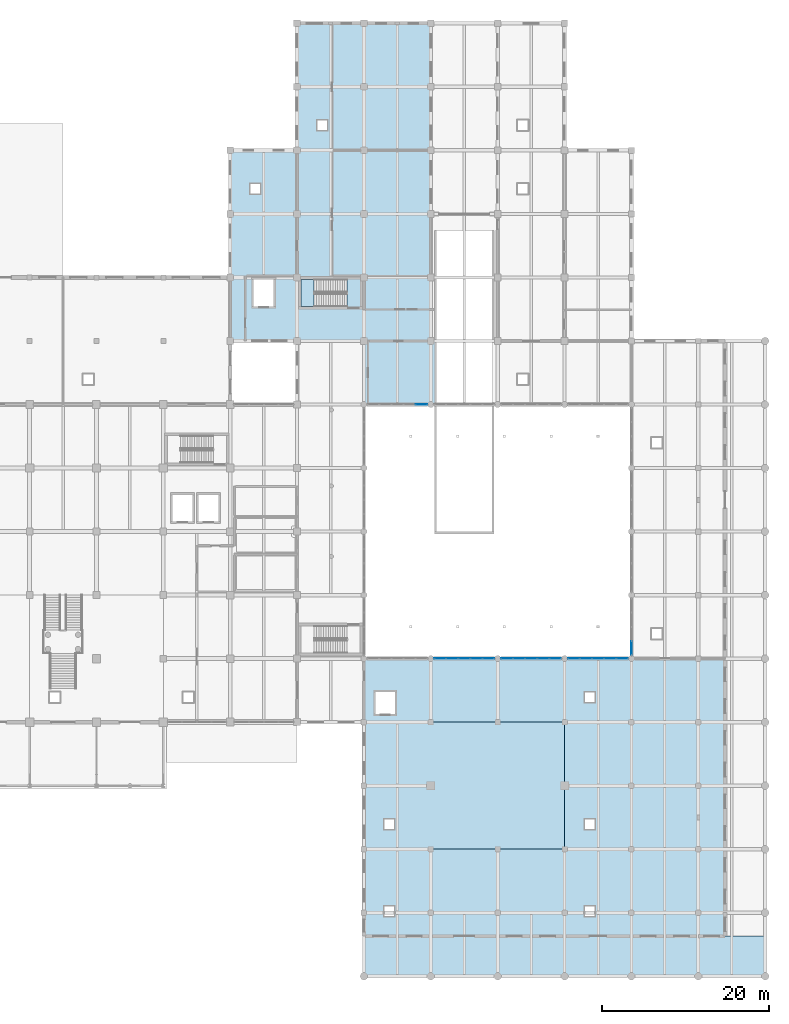
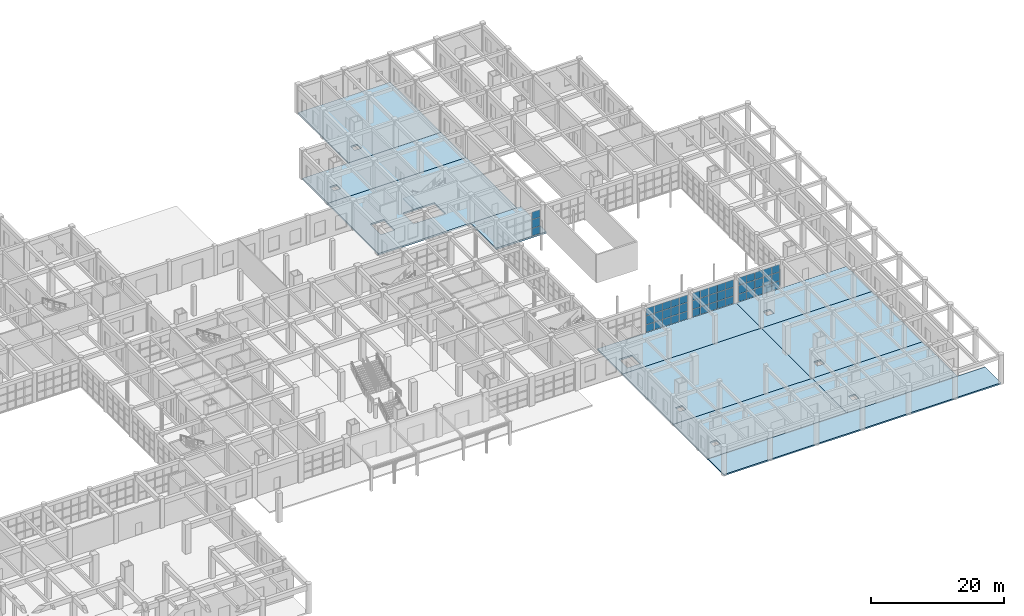
# One storey, part 64 of 95: 50 plates, 12 slabs, 6 elements without a shape of their own.
"""IFC4 building model written with IfcOpenShell, lengths in metres."""

from ifc_helpers import new_model, si_unit, direction, frame, origin, origin_2d, place, context, subcontext, project, spatial, polyline, rectangle, outline, extrude, material, layer, layer_set, type_object, element, aggregate, save


model = new_model("IFC4")

# Units and contexts
model_context = context("Model", 3, precision=1e-05, world=origin(), true_north=direction((0.0, 1.0)))
body_context = subcontext(model_context, "Body", "Model", "MODEL_VIEW")
ifc_project = project(units=[si_unit("LENGTHUNIT", "METRE"), si_unit("AREAUNIT", "SQUARE_METRE"), si_unit("VOLUMEUNIT", "CUBIC_METRE"), si_unit("PLANEANGLEUNIT", "RADIAN"), si_unit("MASSUNIT", "GRAM", prefix="KILO")], contexts=[model_context])

# Site, building, storey
site_placement = place(None, origin())
site = spatial("IfcSite", under=ifc_project, at=site_placement, CompositionType="ELEMENT")
building_placement = place(site_placement, origin())
building = spatial("IfcBuilding", under=site, at=building_placement, Name="Zantavel Square City Hall", CompositionType="ELEMENT")
storey_placement = place(building_placement, origin())
storey = spatial("IfcBuildingStorey", under=building, at=storey_placement, Name="L01", CompositionType="ELEMENT", Elevation=0.0)

# Stair, slab
ifc_material_1 = material(Name="Concrete C35/45", Category="concrete")
stair_type = type_object("IfcStairType", Name="Enclosed Core Dogleg Stair L01 H5400", PredefinedType="HALF_TURN_STAIR", material=ifc_material_1)
stair_placement = place(storey_placement, origin())
stair = element("IfcStair", 1, at=stair_placement, inside=storey, type_object=stair_type, Name="L01 Exit Stair 2 North-East Core", PredefinedType="HALF_TURN_STAIR")
ifc_layer_1 = layer(ifc_material_1, 0.2099609375, Name="Concrete C35/45")
ifc_layer_set_1 = layer_set([ifc_layer_1], Name="Concrete C35/45")
slab_type_1 = type_object("IfcSlabType", Name="Core Stair Half-Landing Slab C35/45", PredefinedType="LANDING", material=ifc_layer_set_1)
slab_1_placement = place(storey_placement, frame((0.0, 0.0, 2.5)))
slab_1 = element("IfcSlab", 2, at=slab_1_placement, type_object=slab_type_1, Name="ST2 landing 1", PredefinedType="LANDING", context=body_context, shape_type="SweptSolid", body=[
    extrude(outline(polyline([(114.050048828125, 83.3701171875), (112.469970703125, 83.3701171875), (112.469970703125, 80.10009765625), (114.050048828125, 80.10009765625), (114.050048828125, 83.3701171875)])), origin(), (0.0, 0.0, 1.0), 0.199951171875),
])
aggregate(stair, [slab_1])

# Slabs
ifc_layer_2 = layer(ifc_material_1, 0.300048828125, Name="Concrete C35/45")
ifc_layer_set_2 = layer_set([ifc_layer_2], Name="Concrete C35/45")
slab_type_2 = type_object("IfcSlabType", Name="Ground Civic Floor Slab 300mm C35/45", PredefinedType="FLOOR", material=ifc_layer_set_2)
slab_2_placement = place(storey_placement, frame((0.0, 0.0, -0.300048828125)))
element("IfcSlab", 3, at=slab_2_placement, inside=storey, type_object=slab_type_2, Name="L01 Floor Slab SLB-L01-V2S-01", PredefinedType="FLOOR", context=body_context, shape_type="SweptSolid", body=[
    extrude(outline(polyline([(120.0, 15.199951171875), (144.0, 15.199951171875), (144.0, 4.800048828125), (120.0, 4.800048828125), (120.0, 15.199951171875)]), holes=[polyline([(123.60009765625, 8.39990234375), (122.39990234375, 8.39990234375), (122.39990234375, 7.199951171875), (123.60009765625, 7.199951171875), (123.60009765625, 8.39990234375)])]), origin(), (0.0, 0.0, 1.0), 0.300048828125),
])
slab_3_placement = place(storey_placement, frame((0.0, 0.0, -0.300048828125)))
element("IfcSlab", 4, at=slab_3_placement, inside=storey, type_object=slab_type_2, Name="L01 Floor Slab SLB-L01-V2S-02", PredefinedType="FLOOR", context=body_context, shape_type="SweptSolid", body=[
    extrude(outline(polyline([(163.199951171875, 4.800048828125), (144.0, 4.800048828125), (144.0, 15.199951171875), (163.199951171875, 15.199951171875), (163.199951171875, 4.800048828125)]), holes=[polyline([(147.60009765625, 8.39990234375), (146.39990234375, 8.39990234375), (146.39990234375, 7.199951171875), (147.60009765625, 7.199951171875), (147.60009765625, 8.39990234375)])]), origin(), (0.0, 0.0, 1.0), 0.300048828125),
])
slab_4_placement = place(storey_placement, frame((0.0, 0.0, -0.300048828125)))
element("IfcSlab", 5, at=slab_4_placement, inside=storey, type_object=slab_type_2, Name="L01 Floor Slab SLB-L01-V2S-03", PredefinedType="FLOOR", context=body_context, shape_type="SweptSolid", body=[
    extrude(outline(polyline([(144.0, 30.39990234375), (144.0, 15.199951171875), (120.0, 15.199951171875), (120.0, 30.39990234375), (144.0, 30.39990234375)]), holes=[polyline([(123.60009765625, 18.800048828125), (122.39990234375, 18.800048828125), (122.39990234375, 17.60009765625), (123.60009765625, 17.60009765625), (123.60009765625, 18.800048828125)])]), origin(), (0.0, 0.0, 1.0), 0.300048828125),
])
slab_5_placement = place(storey_placement, frame((0.0, 0.0, -0.300048828125)))
element("IfcSlab", 6, at=slab_5_placement, inside=storey, type_object=slab_type_2, Name="L01 Floor Slab SLB-L01-V2S-04", PredefinedType="FLOOR", context=body_context, shape_type="SweptSolid", body=[
    extrude(outline(polyline([(163.199951171875, 15.199951171875), (144.0, 15.199951171875), (144.0, 30.39990234375), (163.199951171875, 30.39990234375), (163.199951171875, 15.199951171875)]), holes=[polyline([(147.60009765625, 18.800048828125), (146.39990234375, 18.800048828125), (146.39990234375, 17.60009765625), (147.60009765625, 17.60009765625), (147.60009765625, 18.800048828125)])]), origin(), (0.0, 0.0, 1.0), 0.300048828125),
])
slab_6_placement = place(storey_placement, frame((0.0, 0.0, -0.300048828125)))
element("IfcSlab", 7, at=slab_6_placement, inside=storey, type_object=slab_type_2, Name="L01 Floor Slab SLB-L01-V2S-05", PredefinedType="FLOOR", context=body_context, shape_type="SweptSolid", body=[
    extrude(outline(polyline([(144.0, 38.0), (144.0, 30.39990234375), (120.0, 30.39990234375), (120.0, 38.0), (144.0, 38.0)]), holes=[polyline([(123.699951171875, 34.0), (121.39990234375, 34.0), (121.39990234375, 31.39990234375), (123.699951171875, 31.39990234375), (123.699951171875, 34.0)])]), origin(), (0.0, 0.0, 1.0), 0.300048828125),
])
slab_7_placement = place(storey_placement, frame((0.0, 0.0, -0.300048828125)))
element("IfcSlab", 8, at=slab_7_placement, inside=storey, type_object=slab_type_2, Name="L01 Floor Slab SLB-L01-V2S-06", PredefinedType="FLOOR", context=body_context, shape_type="SweptSolid", body=[
    extrude(outline(polyline([(163.199951171875, 30.39990234375), (144.0, 30.39990234375), (144.0, 38.0), (163.199951171875, 38.0), (163.199951171875, 30.39990234375)]), holes=[polyline([(147.60009765625, 34.0), (146.39990234375, 34.0), (146.39990234375, 32.800048828125), (147.60009765625, 32.800048828125), (147.60009765625, 34.0)])]), origin(), (0.0, 0.0, 1.0), 0.300048828125),
])
slab_8_placement = place(storey_placement, frame((0.0, 0.0, -0.300048828125)))
element("IfcSlab", 9, at=slab_8_placement, inside=storey, type_object=slab_type_2, Name="L01 Floor Slab SLB-L01-V2N-01-P2", PredefinedType="FLOOR", context=body_context, shape_type="SweptSolid", body=[
    extrude(outline(polyline([(120.0, 68.39990234375), (120.0, 76.0), (128.699951171875, 76.0), (128.699951171875, 68.39990234375), (120.0, 68.39990234375)])), origin(), (0.0, 0.0, 1.0), 0.300048828125),
])
slab_9_placement = place(storey_placement, frame((0.0, 0.0, -0.300048828125)))
element("IfcSlab", 10, at=slab_9_placement, inside=storey, type_object=slab_type_2, Name="L01 Floor Slab SLB-L01-V4MW-01", PredefinedType="FLOOR", context=body_context, shape_type="SweptSolid", body=[
    extrude(outline(polyline([(128.0, 91.199951171875), (128.0, 76.0), (120.0, 76.0), (112.0, 76.0), (104.0, 76.0), (104.0, 91.199951171875), (128.0, 91.199951171875)]), holes=[polyline([(112.469970703125, 83.3701171875), (112.469970703125, 80.10009765625), (117.949951171875, 80.10009765625), (117.949951171875, 83.3701171875), (112.469970703125, 83.3701171875)]), polyline([(109.199951171875, 83.35009765625), (106.800048828125, 83.35009765625), (106.800048828125, 80.14990234375), (109.199951171875, 80.14990234375), (109.199951171875, 83.35009765625)])]), origin(), (0.0, 0.0, 1.0), 0.300048828125),
])
slab_10_placement = place(storey_placement, frame((0.0, 0.0, -0.300048828125)))
element("IfcSlab", 11, at=slab_10_placement, inside=storey, type_object=slab_type_2, Name="L01 Floor Slab SLB-L01-V4MW-02", PredefinedType="FLOOR", context=body_context, shape_type="SweptSolid", body=[
    extrude(outline(polyline([(128.0, 98.800048828125), (128.0, 91.199951171875), (104.0, 91.199951171875), (104.0, 98.800048828125), (128.0, 98.800048828125)]), holes=[polyline([(107.60009765625, 94.800048828125), (106.39990234375, 94.800048828125), (106.39990234375, 93.60009765625), (107.60009765625, 93.60009765625), (107.60009765625, 94.800048828125)])]), origin(), (0.0, 0.0, 1.0), 0.300048828125),
])
slab_11_placement = place(storey_placement, frame((0.0, 0.0, -0.300048828125)))
element("IfcSlab", 12, at=slab_11_placement, inside=storey, type_object=slab_type_2, Name="L01 Floor Slab SLB-L01-V4NW-01", PredefinedType="FLOOR", context=body_context, shape_type="SweptSolid", body=[
    extrude(outline(polyline([(128.0, 114.0), (128.0, 98.800048828125), (112.0, 98.800048828125), (112.0, 114.0), (128.0, 114.0)]), holes=[polyline([(115.60009765625, 102.39990234375), (114.39990234375, 102.39990234375), (114.39990234375, 101.199951171875), (115.60009765625, 101.199951171875), (115.60009765625, 102.39990234375)])]), origin(), (0.0, 0.0, 1.0), 0.300048828125),
])

# Curtain wall, plates
ifc_material_2 = material(Name="Anodised aluminium 6063-T6", Category="aluminium")
curtain_wall_type_1 = type_object("IfcCurtainWallType", Name="Curtain Wall CRT 7250x4510", PredefinedType="USERDEFINED", material=ifc_material_2)
curtain_wall_1_placement = place(storey_placement, origin())
curtain_wall_1 = element("IfcCurtainWall", 13, at=curtain_wall_1_placement, inside=storey, type_object=curtain_wall_type_1, Name="L01 Glazed Curtain Wall CW-L01-022", ObjectType="GLAZED CURTAIN WALL", PredefinedType="USERDEFINED")
ifc_material_3 = material(Name="Tempered safety glass low-E double glazing", Category="glass")
ifc_layer_3 = layer(ifc_material_3, 0.028076171875, Name="Tempered safety glass low-E double glazing")
ifc_layer_set_3 = layer_set([ifc_layer_3], Name="Tempered safety glass low-E double glazing")
plate_type_1 = type_object("IfcPlateType", Name="Low-E Curtain Glazing Panel 1450x1503x28", PredefinedType="CURTAIN_PANEL", material=ifc_layer_set_3)
plate_1_placement = place(storey_placement, frame((126.885009765625, 68.39990234375, 0.06005859375), z_axis=(0.0, 0.0, 1.0), x_axis=(-1.0, 0.0, 0.0)))
plate_1 = element("IfcPlate", 14, at=plate_1_placement, type_object=plate_type_1, Name="CW-022 panel 1.1", PredefinedType="CURTAIN_PANEL", context=body_context, shape_type="SweptSolid", body=[
    extrude(rectangle(XDim=1.360107421875, YDim=0.028076171875, at=origin_2d()), origin(), (0.0, 0.0, 1.0), 1.35302734375),
])
plate_2_placement = place(storey_placement, frame((126.885009765625, 68.39990234375, 1.472900390625), z_axis=(0.0, 0.0, 1.0), x_axis=(-1.0, 0.0, 0.0)))
plate_2 = element("IfcPlate", 15, at=plate_2_placement, type_object=plate_type_1, Name="CW-022 panel 1.2", PredefinedType="CURTAIN_PANEL", context=body_context, shape_type="SweptSolid", body=[
    extrude(rectangle(XDim=1.360107421875, YDim=0.028076171875, at=origin_2d()), origin(), (0.0, 0.0, 1.0), 1.56396484375),
])
plate_3_placement = place(storey_placement, frame((126.885009765625, 68.39990234375, 3.096923828125), z_axis=(0.0, 0.0, 1.0), x_axis=(-1.0, 0.0, 0.0)))
plate_3 = element("IfcPlate", 16, at=plate_3_placement, type_object=plate_type_1, Name="CW-022 panel 1.3", PredefinedType="CURTAIN_PANEL", context=body_context, shape_type="SweptSolid", body=[
    extrude(rectangle(XDim=1.360107421875, YDim=0.028076171875, at=origin_2d()), origin(), (0.0, 0.0, 1.0), 1.35302734375),
])
aggregate(curtain_wall_1, [plate_1, plate_2, plate_3])

curtain_wall_2_placement = place(storey_placement, origin())
curtain_wall_2 = element("IfcCurtainWall", 17, at=curtain_wall_2_placement, inside=storey, type_object=curtain_wall_type_1, Name="L01 Glazed Curtain Wall CW-L01-028", ObjectType="GLAZED CURTAIN WALL", PredefinedType="USERDEFINED")
plate_4_placement = place(storey_placement, frame((129.114990234375, 38.0, 0.06005859375), z_axis=(0.0, 0.0, 1.0), x_axis=(1.0, 0.0, 0.0)))
plate_4 = element("IfcPlate", 18, at=plate_4_placement, type_object=plate_type_1, Name="CW-028 panel 1.1", PredefinedType="CURTAIN_PANEL", context=body_context, shape_type="SweptSolid", body=[
    extrude(rectangle(XDim=1.360107421875, YDim=0.028076171875, at=origin_2d()), origin(), (0.0, 0.0, 1.0), 1.35302734375),
])
plate_5_placement = place(storey_placement, frame((129.114990234375, 38.0, 1.472900390625), z_axis=(0.0, 0.0, 1.0), x_axis=(1.0, 0.0, 0.0)))
plate_5 = element("IfcPlate", 19, at=plate_5_placement, type_object=plate_type_1, Name="CW-028 panel 1.2", PredefinedType="CURTAIN_PANEL", context=body_context, shape_type="SweptSolid", body=[
    extrude(rectangle(XDim=1.360107421875, YDim=0.028076171875, at=origin_2d()), origin(), (0.0, 0.0, 1.0), 1.56396484375),
])
plate_6_placement = place(storey_placement, frame((129.114990234375, 38.0, 3.096923828125), z_axis=(0.0, 0.0, 1.0), x_axis=(1.0, 0.0, 0.0)))
plate_6 = element("IfcPlate", 20, at=plate_6_placement, type_object=plate_type_1, Name="CW-028 panel 1.3", PredefinedType="CURTAIN_PANEL", context=body_context, shape_type="SweptSolid", body=[
    extrude(rectangle(XDim=1.360107421875, YDim=0.028076171875, at=origin_2d()), origin(), (0.0, 0.0, 1.0), 1.35302734375),
])
plate_7_placement = place(storey_placement, frame((130.550048828125, 38.0, 0.06005859375), z_axis=(0.0, 0.0, 1.0), x_axis=(1.0, 0.0, 0.0)))
plate_7 = element("IfcPlate", 21, at=plate_7_placement, type_object=plate_type_1, Name="CW-028 panel 2.1", PredefinedType="CURTAIN_PANEL", context=body_context, shape_type="SweptSolid", body=[
    extrude(rectangle(XDim=1.389892578125, YDim=0.028076171875, at=origin_2d()), origin(), (0.0, 0.0, 1.0), 1.35302734375),
])
plate_8_placement = place(storey_placement, frame((130.550048828125, 38.0, 1.472900390625), z_axis=(0.0, 0.0, 1.0), x_axis=(1.0, 0.0, 0.0)))
plate_8 = element("IfcPlate", 22, at=plate_8_placement, type_object=plate_type_1, Name="CW-028 panel 2.2", PredefinedType="CURTAIN_PANEL", context=body_context, shape_type="SweptSolid", body=[
    extrude(rectangle(XDim=1.389892578125, YDim=0.028076171875, at=origin_2d()), origin(), (0.0, 0.0, 1.0), 1.56396484375),
])
plate_9_placement = place(storey_placement, frame((130.550048828125, 38.0, 3.096923828125), z_axis=(0.0, 0.0, 1.0), x_axis=(1.0, 0.0, 0.0)))
plate_9 = element("IfcPlate", 23, at=plate_9_placement, type_object=plate_type_1, Name="CW-028 panel 2.3", PredefinedType="CURTAIN_PANEL", context=body_context, shape_type="SweptSolid", body=[
    extrude(rectangle(XDim=1.389892578125, YDim=0.028076171875, at=origin_2d()), origin(), (0.0, 0.0, 1.0), 1.35302734375),
])
plate_10_placement = place(storey_placement, frame((132.0, 38.0, 0.06005859375), z_axis=(0.0, 0.0, 1.0), x_axis=(1.0, 0.0, 0.0)))
plate_10 = element("IfcPlate", 24, at=plate_10_placement, type_object=plate_type_1, Name="CW-028 panel 3.1", PredefinedType="CURTAIN_PANEL", context=body_context, shape_type="SweptSolid", body=[
    extrude(rectangle(XDim=1.389892578125, YDim=0.028076171875, at=origin_2d()), origin(), (0.0, 0.0, 1.0), 1.35302734375),
])
plate_11_placement = place(storey_placement, frame((132.0, 38.0, 1.472900390625), z_axis=(0.0, 0.0, 1.0), x_axis=(1.0, 0.0, 0.0)))
plate_11 = element("IfcPlate", 25, at=plate_11_placement, type_object=plate_type_1, Name="CW-028 panel 3.2", PredefinedType="CURTAIN_PANEL", context=body_context, shape_type="SweptSolid", body=[
    extrude(rectangle(XDim=1.389892578125, YDim=0.028076171875, at=origin_2d()), origin(), (0.0, 0.0, 1.0), 1.56396484375),
])
plate_12_placement = place(storey_placement, frame((132.0, 38.0, 3.096923828125), z_axis=(0.0, 0.0, 1.0), x_axis=(1.0, 0.0, 0.0)))
plate_12 = element("IfcPlate", 26, at=plate_12_placement, type_object=plate_type_1, Name="CW-028 panel 3.3", PredefinedType="CURTAIN_PANEL", context=body_context, shape_type="SweptSolid", body=[
    extrude(rectangle(XDim=1.389892578125, YDim=0.028076171875, at=origin_2d()), origin(), (0.0, 0.0, 1.0), 1.35302734375),
])
plate_13_placement = place(storey_placement, frame((133.449951171875, 38.0, 0.06005859375), z_axis=(0.0, 0.0, 1.0), x_axis=(1.0, 0.0, 0.0)))
plate_13 = element("IfcPlate", 27, at=plate_13_placement, type_object=plate_type_1, Name="CW-028 panel 4.1", PredefinedType="CURTAIN_PANEL", context=body_context, shape_type="SweptSolid", body=[
    extrude(rectangle(XDim=1.389892578125, YDim=0.028076171875, at=origin_2d()), origin(), (0.0, 0.0, 1.0), 1.35302734375),
])
plate_14_placement = place(storey_placement, frame((133.449951171875, 38.0, 1.472900390625), z_axis=(0.0, 0.0, 1.0), x_axis=(1.0, 0.0, 0.0)))
plate_14 = element("IfcPlate", 28, at=plate_14_placement, type_object=plate_type_1, Name="CW-028 panel 4.2", PredefinedType="CURTAIN_PANEL", context=body_context, shape_type="SweptSolid", body=[
    extrude(rectangle(XDim=1.389892578125, YDim=0.028076171875, at=origin_2d()), origin(), (0.0, 0.0, 1.0), 1.56396484375),
])
plate_15_placement = place(storey_placement, frame((133.449951171875, 38.0, 3.096923828125), z_axis=(0.0, 0.0, 1.0), x_axis=(1.0, 0.0, 0.0)))
plate_15 = element("IfcPlate", 29, at=plate_15_placement, type_object=plate_type_1, Name="CW-028 panel 4.3", PredefinedType="CURTAIN_PANEL", context=body_context, shape_type="SweptSolid", body=[
    extrude(rectangle(XDim=1.389892578125, YDim=0.028076171875, at=origin_2d()), origin(), (0.0, 0.0, 1.0), 1.35302734375),
])
plate_16_placement = place(storey_placement, frame((134.885009765625, 38.0, 0.06005859375), z_axis=(0.0, 0.0, 1.0), x_axis=(1.0, 0.0, 0.0)))
plate_16 = element("IfcPlate", 30, at=plate_16_placement, type_object=plate_type_1, Name="CW-028 panel 5.1", PredefinedType="CURTAIN_PANEL", context=body_context, shape_type="SweptSolid", body=[
    extrude(rectangle(XDim=1.360107421875, YDim=0.028076171875, at=origin_2d()), origin(), (0.0, 0.0, 1.0), 1.35302734375),
])
plate_17_placement = place(storey_placement, frame((134.885009765625, 38.0, 1.472900390625), z_axis=(0.0, 0.0, 1.0), x_axis=(1.0, 0.0, 0.0)))
plate_17 = element("IfcPlate", 31, at=plate_17_placement, type_object=plate_type_1, Name="CW-028 panel 5.2", PredefinedType="CURTAIN_PANEL", context=body_context, shape_type="SweptSolid", body=[
    extrude(rectangle(XDim=1.360107421875, YDim=0.028076171875, at=origin_2d()), origin(), (0.0, 0.0, 1.0), 1.56396484375),
])
plate_18_placement = place(storey_placement, frame((134.885009765625, 38.0, 3.096923828125), z_axis=(0.0, 0.0, 1.0), x_axis=(1.0, 0.0, 0.0)))
plate_18 = element("IfcPlate", 32, at=plate_18_placement, type_object=plate_type_1, Name="CW-028 panel 5.3", PredefinedType="CURTAIN_PANEL", context=body_context, shape_type="SweptSolid", body=[
    extrude(rectangle(XDim=1.360107421875, YDim=0.028076171875, at=origin_2d()), origin(), (0.0, 0.0, 1.0), 1.35302734375),
])
aggregate(curtain_wall_2, [plate_4, plate_5, plate_6, plate_7, plate_8, plate_9, plate_10, plate_11, plate_12, plate_13, plate_14, plate_15, plate_16, plate_17, plate_18])

curtain_wall_3_placement = place(storey_placement, origin())
curtain_wall_3 = element("IfcCurtainWall", 33, at=curtain_wall_3_placement, inside=storey, type_object=curtain_wall_type_1, Name="L01 Glazed Curtain Wall CW-L01-029", ObjectType="GLAZED CURTAIN WALL", PredefinedType="USERDEFINED")
plate_19_placement = place(storey_placement, frame((137.114990234375, 38.0, 0.06005859375), z_axis=(0.0, 0.0, 1.0), x_axis=(1.0, 0.0, 0.0)))
plate_19 = element("IfcPlate", 34, at=plate_19_placement, type_object=plate_type_1, Name="CW-029 panel 1.1", PredefinedType="CURTAIN_PANEL", context=body_context, shape_type="SweptSolid", body=[
    extrude(rectangle(XDim=1.360107421875, YDim=0.028076171875, at=origin_2d()), origin(), (0.0, 0.0, 1.0), 1.35302734375),
])
plate_20_placement = place(storey_placement, frame((137.114990234375, 38.0, 1.472900390625), z_axis=(0.0, 0.0, 1.0), x_axis=(1.0, 0.0, 0.0)))
plate_20 = element("IfcPlate", 35, at=plate_20_placement, type_object=plate_type_1, Name="CW-029 panel 1.2", PredefinedType="CURTAIN_PANEL", context=body_context, shape_type="SweptSolid", body=[
    extrude(rectangle(XDim=1.360107421875, YDim=0.028076171875, at=origin_2d()), origin(), (0.0, 0.0, 1.0), 1.56396484375),
])
plate_21_placement = place(storey_placement, frame((137.114990234375, 38.0, 3.096923828125), z_axis=(0.0, 0.0, 1.0), x_axis=(1.0, 0.0, 0.0)))
plate_21 = element("IfcPlate", 36, at=plate_21_placement, type_object=plate_type_1, Name="CW-029 panel 1.3", PredefinedType="CURTAIN_PANEL", context=body_context, shape_type="SweptSolid", body=[
    extrude(rectangle(XDim=1.360107421875, YDim=0.028076171875, at=origin_2d()), origin(), (0.0, 0.0, 1.0), 1.35302734375),
])
plate_22_placement = place(storey_placement, frame((138.550048828125, 38.0, 0.06005859375), z_axis=(0.0, 0.0, 1.0), x_axis=(1.0, 0.0, 0.0)))
plate_22 = element("IfcPlate", 37, at=plate_22_placement, type_object=plate_type_1, Name="CW-029 panel 2.1", PredefinedType="CURTAIN_PANEL", context=body_context, shape_type="SweptSolid", body=[
    extrude(rectangle(XDim=1.389892578125, YDim=0.028076171875, at=origin_2d()), origin(), (0.0, 0.0, 1.0), 1.35302734375),
])
plate_23_placement = place(storey_placement, frame((138.550048828125, 38.0, 1.472900390625), z_axis=(0.0, 0.0, 1.0), x_axis=(1.0, 0.0, 0.0)))
plate_23 = element("IfcPlate", 38, at=plate_23_placement, type_object=plate_type_1, Name="CW-029 panel 2.2", PredefinedType="CURTAIN_PANEL", context=body_context, shape_type="SweptSolid", body=[
    extrude(rectangle(XDim=1.389892578125, YDim=0.028076171875, at=origin_2d()), origin(), (0.0, 0.0, 1.0), 1.56396484375),
])
plate_24_placement = place(storey_placement, frame((138.550048828125, 38.0, 3.096923828125), z_axis=(0.0, 0.0, 1.0), x_axis=(1.0, 0.0, 0.0)))
plate_24 = element("IfcPlate", 39, at=plate_24_placement, type_object=plate_type_1, Name="CW-029 panel 2.3", PredefinedType="CURTAIN_PANEL", context=body_context, shape_type="SweptSolid", body=[
    extrude(rectangle(XDim=1.389892578125, YDim=0.028076171875, at=origin_2d()), origin(), (0.0, 0.0, 1.0), 1.35302734375),
])
plate_25_placement = place(storey_placement, frame((140.0, 38.0, 0.06005859375), z_axis=(0.0, 0.0, 1.0), x_axis=(1.0, 0.0, 0.0)))
plate_25 = element("IfcPlate", 40, at=plate_25_placement, type_object=plate_type_1, Name="CW-029 panel 3.1", PredefinedType="CURTAIN_PANEL", context=body_context, shape_type="SweptSolid", body=[
    extrude(rectangle(XDim=1.389892578125, YDim=0.028076171875, at=origin_2d()), origin(), (0.0, 0.0, 1.0), 1.35302734375),
])
plate_26_placement = place(storey_placement, frame((140.0, 38.0, 1.472900390625), z_axis=(0.0, 0.0, 1.0), x_axis=(1.0, 0.0, 0.0)))
plate_26 = element("IfcPlate", 41, at=plate_26_placement, type_object=plate_type_1, Name="CW-029 panel 3.2", PredefinedType="CURTAIN_PANEL", context=body_context, shape_type="SweptSolid", body=[
    extrude(rectangle(XDim=1.389892578125, YDim=0.028076171875, at=origin_2d()), origin(), (0.0, 0.0, 1.0), 1.56396484375),
])
plate_27_placement = place(storey_placement, frame((140.0, 38.0, 3.096923828125), z_axis=(0.0, 0.0, 1.0), x_axis=(1.0, 0.0, 0.0)))
plate_27 = element("IfcPlate", 42, at=plate_27_placement, type_object=plate_type_1, Name="CW-029 panel 3.3", PredefinedType="CURTAIN_PANEL", context=body_context, shape_type="SweptSolid", body=[
    extrude(rectangle(XDim=1.389892578125, YDim=0.028076171875, at=origin_2d()), origin(), (0.0, 0.0, 1.0), 1.35302734375),
])
plate_28_placement = place(storey_placement, frame((141.449951171875, 38.0, 0.06005859375), z_axis=(0.0, 0.0, 1.0), x_axis=(1.0, 0.0, 0.0)))
plate_28 = element("IfcPlate", 43, at=plate_28_placement, type_object=plate_type_1, Name="CW-029 panel 4.1", PredefinedType="CURTAIN_PANEL", context=body_context, shape_type="SweptSolid", body=[
    extrude(rectangle(XDim=1.389892578125, YDim=0.028076171875, at=origin_2d()), origin(), (0.0, 0.0, 1.0), 1.35302734375),
])
plate_29_placement = place(storey_placement, frame((141.449951171875, 38.0, 1.472900390625), z_axis=(0.0, 0.0, 1.0), x_axis=(1.0, 0.0, 0.0)))
plate_29 = element("IfcPlate", 44, at=plate_29_placement, type_object=plate_type_1, Name="CW-029 panel 4.2", PredefinedType="CURTAIN_PANEL", context=body_context, shape_type="SweptSolid", body=[
    extrude(rectangle(XDim=1.389892578125, YDim=0.028076171875, at=origin_2d()), origin(), (0.0, 0.0, 1.0), 1.56396484375),
])
plate_30_placement = place(storey_placement, frame((141.449951171875, 38.0, 3.096923828125), z_axis=(0.0, 0.0, 1.0), x_axis=(1.0, 0.0, 0.0)))
plate_30 = element("IfcPlate", 45, at=plate_30_placement, type_object=plate_type_1, Name="CW-029 panel 4.3", PredefinedType="CURTAIN_PANEL", context=body_context, shape_type="SweptSolid", body=[
    extrude(rectangle(XDim=1.389892578125, YDim=0.028076171875, at=origin_2d()), origin(), (0.0, 0.0, 1.0), 1.35302734375),
])
plate_31_placement = place(storey_placement, frame((142.885009765625, 38.0, 0.06005859375), z_axis=(0.0, 0.0, 1.0), x_axis=(1.0, 0.0, 0.0)))
plate_31 = element("IfcPlate", 46, at=plate_31_placement, type_object=plate_type_1, Name="CW-029 panel 5.1", PredefinedType="CURTAIN_PANEL", context=body_context, shape_type="SweptSolid", body=[
    extrude(rectangle(XDim=1.360107421875, YDim=0.028076171875, at=origin_2d()), origin(), (0.0, 0.0, 1.0), 1.35302734375),
])
plate_32_placement = place(storey_placement, frame((142.885009765625, 38.0, 1.472900390625), z_axis=(0.0, 0.0, 1.0), x_axis=(1.0, 0.0, 0.0)))
plate_32 = element("IfcPlate", 47, at=plate_32_placement, type_object=plate_type_1, Name="CW-029 panel 5.2", PredefinedType="CURTAIN_PANEL", context=body_context, shape_type="SweptSolid", body=[
    extrude(rectangle(XDim=1.360107421875, YDim=0.028076171875, at=origin_2d()), origin(), (0.0, 0.0, 1.0), 1.56396484375),
])
plate_33_placement = place(storey_placement, frame((142.885009765625, 38.0, 3.096923828125), z_axis=(0.0, 0.0, 1.0), x_axis=(1.0, 0.0, 0.0)))
plate_33 = element("IfcPlate", 48, at=plate_33_placement, type_object=plate_type_1, Name="CW-029 panel 5.3", PredefinedType="CURTAIN_PANEL", context=body_context, shape_type="SweptSolid", body=[
    extrude(rectangle(XDim=1.360107421875, YDim=0.028076171875, at=origin_2d()), origin(), (0.0, 0.0, 1.0), 1.35302734375),
])
aggregate(curtain_wall_3, [plate_19, plate_20, plate_21, plate_22, plate_23, plate_24, plate_25, plate_26, plate_27, plate_28, plate_29, plate_30, plate_31, plate_32, plate_33])

curtain_wall_4_placement = place(storey_placement, origin())
curtain_wall_4 = element("IfcCurtainWall", 49, at=curtain_wall_4_placement, inside=storey, type_object=curtain_wall_type_1, Name="L01 Glazed Curtain Wall CW-L01-030", ObjectType="GLAZED CURTAIN WALL", PredefinedType="USERDEFINED")
plate_34_placement = place(storey_placement, frame((145.114990234375, 38.0, 0.06005859375), z_axis=(0.0, 0.0, 1.0), x_axis=(1.0, 0.0, 0.0)))
plate_34 = element("IfcPlate", 50, at=plate_34_placement, type_object=plate_type_1, Name="CW-030 panel 1.1", PredefinedType="CURTAIN_PANEL", context=body_context, shape_type="SweptSolid", body=[
    extrude(rectangle(XDim=1.360107421875, YDim=0.028076171875, at=origin_2d()), origin(), (0.0, 0.0, 1.0), 1.35302734375),
])
plate_35_placement = place(storey_placement, frame((145.114990234375, 38.0, 1.472900390625), z_axis=(0.0, 0.0, 1.0), x_axis=(1.0, 0.0, 0.0)))
plate_35 = element("IfcPlate", 51, at=plate_35_placement, type_object=plate_type_1, Name="CW-030 panel 1.2", PredefinedType="CURTAIN_PANEL", context=body_context, shape_type="SweptSolid", body=[
    extrude(rectangle(XDim=1.360107421875, YDim=0.028076171875, at=origin_2d()), origin(), (0.0, 0.0, 1.0), 1.56396484375),
])
plate_36_placement = place(storey_placement, frame((145.114990234375, 38.0, 3.096923828125), z_axis=(0.0, 0.0, 1.0), x_axis=(1.0, 0.0, 0.0)))
plate_36 = element("IfcPlate", 52, at=plate_36_placement, type_object=plate_type_1, Name="CW-030 panel 1.3", PredefinedType="CURTAIN_PANEL", context=body_context, shape_type="SweptSolid", body=[
    extrude(rectangle(XDim=1.360107421875, YDim=0.028076171875, at=origin_2d()), origin(), (0.0, 0.0, 1.0), 1.35302734375),
])
plate_37_placement = place(storey_placement, frame((146.550048828125, 38.0, 0.06005859375), z_axis=(0.0, 0.0, 1.0), x_axis=(1.0, 0.0, 0.0)))
plate_37 = element("IfcPlate", 53, at=plate_37_placement, type_object=plate_type_1, Name="CW-030 panel 2.1", PredefinedType="CURTAIN_PANEL", context=body_context, shape_type="SweptSolid", body=[
    extrude(rectangle(XDim=1.389892578125, YDim=0.028076171875, at=origin_2d()), origin(), (0.0, 0.0, 1.0), 1.35302734375),
])
plate_38_placement = place(storey_placement, frame((146.550048828125, 38.0, 1.472900390625), z_axis=(0.0, 0.0, 1.0), x_axis=(1.0, 0.0, 0.0)))
plate_38 = element("IfcPlate", 54, at=plate_38_placement, type_object=plate_type_1, Name="CW-030 panel 2.2", PredefinedType="CURTAIN_PANEL", context=body_context, shape_type="SweptSolid", body=[
    extrude(rectangle(XDim=1.389892578125, YDim=0.028076171875, at=origin_2d()), origin(), (0.0, 0.0, 1.0), 1.56396484375),
])
plate_39_placement = place(storey_placement, frame((146.550048828125, 38.0, 3.096923828125), z_axis=(0.0, 0.0, 1.0), x_axis=(1.0, 0.0, 0.0)))
plate_39 = element("IfcPlate", 55, at=plate_39_placement, type_object=plate_type_1, Name="CW-030 panel 2.3", PredefinedType="CURTAIN_PANEL", context=body_context, shape_type="SweptSolid", body=[
    extrude(rectangle(XDim=1.389892578125, YDim=0.028076171875, at=origin_2d()), origin(), (0.0, 0.0, 1.0), 1.35302734375),
])
plate_40_placement = place(storey_placement, frame((148.0, 38.0, 0.06005859375), z_axis=(0.0, 0.0, 1.0), x_axis=(1.0, 0.0, 0.0)))
plate_40 = element("IfcPlate", 56, at=plate_40_placement, type_object=plate_type_1, Name="CW-030 panel 3.1", PredefinedType="CURTAIN_PANEL", context=body_context, shape_type="SweptSolid", body=[
    extrude(rectangle(XDim=1.389892578125, YDim=0.028076171875, at=origin_2d()), origin(), (0.0, 0.0, 1.0), 1.35302734375),
])
plate_41_placement = place(storey_placement, frame((148.0, 38.0, 1.472900390625), z_axis=(0.0, 0.0, 1.0), x_axis=(1.0, 0.0, 0.0)))
plate_41 = element("IfcPlate", 57, at=plate_41_placement, type_object=plate_type_1, Name="CW-030 panel 3.2", PredefinedType="CURTAIN_PANEL", context=body_context, shape_type="SweptSolid", body=[
    extrude(rectangle(XDim=1.389892578125, YDim=0.028076171875, at=origin_2d()), origin(), (0.0, 0.0, 1.0), 1.56396484375),
])
plate_42_placement = place(storey_placement, frame((148.0, 38.0, 3.096923828125), z_axis=(0.0, 0.0, 1.0), x_axis=(1.0, 0.0, 0.0)))
plate_42 = element("IfcPlate", 58, at=plate_42_placement, type_object=plate_type_1, Name="CW-030 panel 3.3", PredefinedType="CURTAIN_PANEL", context=body_context, shape_type="SweptSolid", body=[
    extrude(rectangle(XDim=1.389892578125, YDim=0.028076171875, at=origin_2d()), origin(), (0.0, 0.0, 1.0), 1.35302734375),
])
plate_43_placement = place(storey_placement, frame((149.449951171875, 38.0, 0.06005859375), z_axis=(0.0, 0.0, 1.0), x_axis=(1.0, 0.0, 0.0)))
plate_43 = element("IfcPlate", 59, at=plate_43_placement, type_object=plate_type_1, Name="CW-030 panel 4.1", PredefinedType="CURTAIN_PANEL", context=body_context, shape_type="SweptSolid", body=[
    extrude(rectangle(XDim=1.389892578125, YDim=0.028076171875, at=origin_2d()), origin(), (0.0, 0.0, 1.0), 1.35302734375),
])
plate_44_placement = place(storey_placement, frame((149.449951171875, 38.0, 1.472900390625), z_axis=(0.0, 0.0, 1.0), x_axis=(1.0, 0.0, 0.0)))
plate_44 = element("IfcPlate", 60, at=plate_44_placement, type_object=plate_type_1, Name="CW-030 panel 4.2", PredefinedType="CURTAIN_PANEL", context=body_context, shape_type="SweptSolid", body=[
    extrude(rectangle(XDim=1.389892578125, YDim=0.028076171875, at=origin_2d()), origin(), (0.0, 0.0, 1.0), 1.56396484375),
])
plate_45_placement = place(storey_placement, frame((149.449951171875, 38.0, 3.096923828125), z_axis=(0.0, 0.0, 1.0), x_axis=(1.0, 0.0, 0.0)))
plate_45 = element("IfcPlate", 61, at=plate_45_placement, type_object=plate_type_1, Name="CW-030 panel 4.3", PredefinedType="CURTAIN_PANEL", context=body_context, shape_type="SweptSolid", body=[
    extrude(rectangle(XDim=1.389892578125, YDim=0.028076171875, at=origin_2d()), origin(), (0.0, 0.0, 1.0), 1.35302734375),
])
plate_46_placement = place(storey_placement, frame((150.885009765625, 38.0, 0.06005859375), z_axis=(0.0, 0.0, 1.0), x_axis=(1.0, 0.0, 0.0)))
plate_46 = element("IfcPlate", 62, at=plate_46_placement, type_object=plate_type_1, Name="CW-030 panel 5.1", PredefinedType="CURTAIN_PANEL", context=body_context, shape_type="SweptSolid", body=[
    extrude(rectangle(XDim=1.360107421875, YDim=0.028076171875, at=origin_2d()), origin(), (0.0, 0.0, 1.0), 1.35302734375),
])
plate_47_placement = place(storey_placement, frame((150.885009765625, 38.0, 1.472900390625), z_axis=(0.0, 0.0, 1.0), x_axis=(1.0, 0.0, 0.0)))
plate_47 = element("IfcPlate", 63, at=plate_47_placement, type_object=plate_type_1, Name="CW-030 panel 5.2", PredefinedType="CURTAIN_PANEL", context=body_context, shape_type="SweptSolid", body=[
    extrude(rectangle(XDim=1.360107421875, YDim=0.028076171875, at=origin_2d()), origin(), (0.0, 0.0, 1.0), 1.56396484375),
])
plate_48_placement = place(storey_placement, frame((150.885009765625, 38.0, 3.096923828125), z_axis=(0.0, 0.0, 1.0), x_axis=(1.0, 0.0, 0.0)))
plate_48 = element("IfcPlate", 64, at=plate_48_placement, type_object=plate_type_1, Name="CW-030 panel 5.3", PredefinedType="CURTAIN_PANEL", context=body_context, shape_type="SweptSolid", body=[
    extrude(rectangle(XDim=1.360107421875, YDim=0.028076171875, at=origin_2d()), origin(), (0.0, 0.0, 1.0), 1.35302734375),
])
aggregate(curtain_wall_4, [plate_34, plate_35, plate_36, plate_37, plate_38, plate_39, plate_40, plate_41, plate_42, plate_43, plate_44, plate_45, plate_46, plate_47, plate_48])

curtain_wall_type_2 = type_object("IfcCurtainWallType", Name="Curtain Wall CRT 6850x4580", PredefinedType="USERDEFINED", material=ifc_material_2)
curtain_wall_5_placement = place(storey_placement, origin())
curtain_wall_5 = element("IfcCurtainWall", 65, at=curtain_wall_5_placement, inside=storey, type_object=curtain_wall_type_2, Name="L01 Glazed Curtain Wall CW-L01-031", ObjectType="GLAZED CURTAIN WALL", PredefinedType="USERDEFINED")
ifc_layer_4 = layer(ifc_material_3, 0.028076171875, Name="Tempered safety glass low-E double glazing")
ifc_layer_set_4 = layer_set([ifc_layer_4], Name="Tempered safety glass low-E double glazing")
plate_type_2 = type_object("IfcPlateType", Name="Low-E Curtain Glazing Panel 1713x1527x28", PredefinedType="CURTAIN_PANEL", material=ifc_layer_set_4)
plate_49_placement = place(storey_placement, frame((152.0, 39.246337890625, 0.06005859375), z_axis=(0.0, 0.0, 1.0), x_axis=(0.0, 1.0, 0.0)))
plate_49 = element("IfcPlate", 66, at=plate_49_placement, type_object=plate_type_2, Name="CW-031 panel 1.1", PredefinedType="CURTAIN_PANEL", context=body_context, shape_type="SweptSolid", body=[
    extrude(rectangle(XDim=1.62255859375, YDim=0.028076171875, at=origin_2d()), origin(), (0.0, 0.0, 1.0), 1.3759765625),
])
plate_50_placement = place(storey_placement, frame((152.0, 39.246337890625, 1.49609375), z_axis=(0.0, 0.0, 1.0), x_axis=(0.0, 1.0, 0.0)))
plate_50 = element("IfcPlate", 67, at=plate_50_placement, type_object=plate_type_2, Name="CW-031 panel 1.2", PredefinedType="CURTAIN_PANEL", context=body_context, shape_type="SweptSolid", body=[
    extrude(rectangle(XDim=1.62255859375, YDim=0.028076171875, at=origin_2d()), origin(), (0.0, 0.0, 1.0), 1.587890625),
])
aggregate(curtain_wall_5, [plate_49, plate_50])

# Slab
ifc_layer_5 = layer(ifc_material_1, 0.25, Name="Concrete C35/45")
ifc_layer_set_5 = layer_set([ifc_layer_5], Name="Concrete C35/45")
slab_type_3 = type_object("IfcSlabType", Name="Portales Promenade Deck Slab 250mm C35/45", PredefinedType="FLOOR", material=ifc_layer_set_5)
slab_12_placement = place(storey_placement, frame((0.0, 0.0, -0.25)))
element("IfcSlab", 68, at=slab_12_placement, inside=storey, type_object=slab_type_3, Name="L01 Outdoor Terrace Slab SLB-L01-PORT-ES", PredefinedType="FLOOR", context=body_context, shape_type="SweptSolid", body=[
    extrude(outline(polyline([(168.0, 4.800048828125), (168.0, 0.0), (120.0, 0.0), (120.0, 4.800048828125), (144.0, 4.800048828125), (163.199951171875, 4.800048828125), (168.0, 4.800048828125)])), origin(), (0.0, 0.0, 1.0), 0.25),
])

save(model, "model.ifc")
